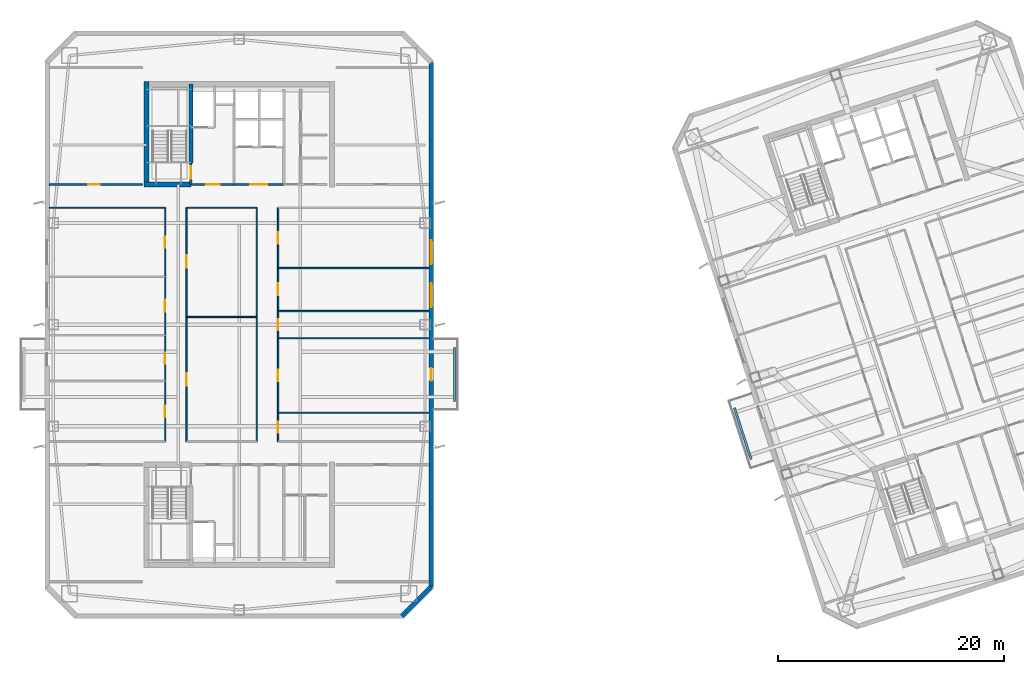
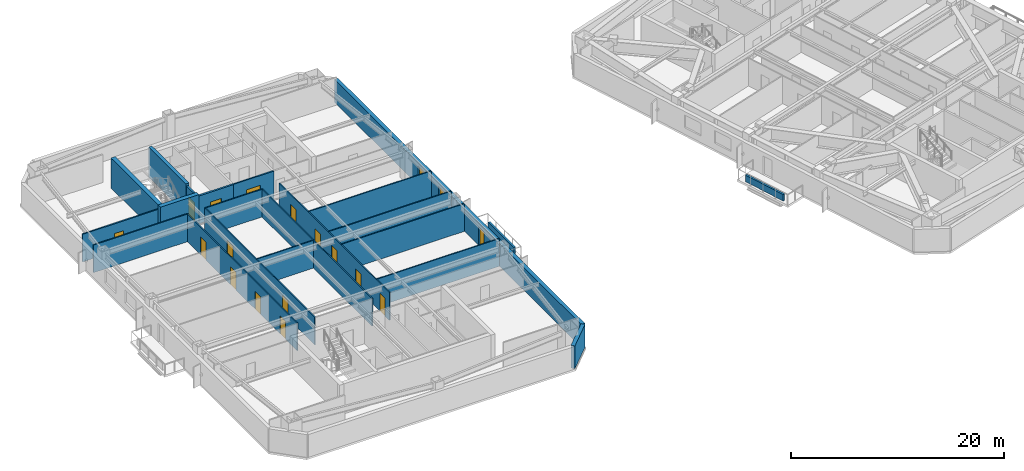
# One storey, part 7 of 18: 22 walls, 16 doors, 2 windows, 18 openings.
"""IFC4 building model written with IfcOpenShell, lengths in metres."""

from ifc_helpers import new_model, si_unit, direction, frame, frame_2d, origin, place, context, subcontext, project, spatial, rectangle, extrude, material, layer, layer_set, type_object, element, fill, save


model = new_model("IFC4")

# Units and contexts
model_context = context("Model", 3, precision=1e-05, world=origin(), true_north=direction((0.0, 1.0)))
body_context = subcontext(model_context, "Body", "Model", "MODEL_VIEW")
ifc_project = project(units=[si_unit("LENGTHUNIT", "METRE"), si_unit("AREAUNIT", "SQUARE_METRE"), si_unit("VOLUMEUNIT", "CUBIC_METRE"), si_unit("PLANEANGLEUNIT", "RADIAN"), si_unit("MASSUNIT", "GRAM", prefix="KILO")], contexts=[model_context])

# Site, building, storey
site_placement = place(None, origin())
site = spatial("IfcSite", under=ifc_project, at=site_placement, CompositionType="ELEMENT")
building_placement = place(site_placement, origin())
building = spatial("IfcBuilding", under=site, at=building_placement, Name="Qiaolan Cultural Towers", CompositionType="ELEMENT")
storey_placement = place(building_placement, frame((0.0, 0.0, 195.5)))
storey = spatial("IfcBuildingStorey", under=building, at=storey_placement, Name="L52", CompositionType="ELEMENT", Elevation=195.5)

# Walls
ifc_material_1 = material(Name="Concrete C50", Category="concrete")
ifc_layer_1 = layer(ifc_material_1, 0.35009765625)
ifc_layer_set_1 = layer_set([ifc_layer_1], Name="Concrete C50")
wall_type_1 = type_object("IfcWallType", Name="WL-CORE-350", PredefinedType="SHEAR", material=ifc_layer_set_1)
wall_1_placement = place(storey_placement, frame((25.719970703125, 48.300048828125, 0.0), z_axis=(0.0, 0.0, 1.0), x_axis=(0.0, 1.0, 0.0)))
element("IfcWall", 1, at=wall_1_placement, inside=storey, type_object=wall_type_1, Name="L52 T1-CN Stair Core Dividing Web", PredefinedType="SHEAR", context=body_context, shape_type="SweptSolid", body=[
    extrude(rectangle(XDim=6.97998046875, YDim=0.35009765625, at=frame_2d((3.489990234375, 0.0))), origin(), (0.0, 0.0, 1.0), 3.449951171875),
])
ifc_material_2 = material(Name="Concrete C50", Category="concrete")
ifc_layer_2 = layer(ifc_material_2, 0.449951171875)
ifc_layer_set_2 = layer_set([ifc_layer_2], Name="Concrete C50")
wall_type_2 = type_object("IfcWallType", Name="WL-CORE-450", PredefinedType="SHEAR", material=ifc_layer_set_2)
wall_2_placement = place(storey_placement, frame((21.800048828125, 46.175048828125, 0.0), z_axis=(0.0, 0.0, 1.0), x_axis=(0.0, 1.0, 0.0)))
element("IfcWall", 2, at=wall_2_placement, inside=storey, type_object=wall_type_2, Name="L52 T1-CN West Core Shear Wall", PredefinedType="SHEAR", context=body_context, shape_type="SweptSolid", body=[
    extrude(rectangle(XDim=9.329833984375, YDim=0.449951171875, at=frame_2d((4.6650390625, 0.0))), origin(), (0.0, 0.0, 1.0), 3.449951171875),
])
wall_3_placement = place(storey_placement, frame((21.574951171875, 46.39990234375, 0.0), z_axis=(0.0, 0.0, 1.0), x_axis=(1.0, 0.0, 0.0)))
element("IfcWall", 3, at=wall_3_placement, inside=storey, type_object=wall_type_2, Name="L52 T1-CN Stair Front Shear Wall", PredefinedType="SHEAR", context=body_context, shape_type="SweptSolid", body=[
    extrude(rectangle(XDim=4.14501953125, YDim=0.449951171875, at=frame_2d((2.072509765625, 0.0))), origin(), (0.0, 0.0, 1.0), 3.449951171875),
])

# Wall, openings, door, windows
ifc_material_3 = material(Name="Precast Concrete C50 Honed Stone Pier", Category="masonry")
ifc_layer_3 = layer(ifc_material_3, 0.39990234375)
ifc_layer_set_3 = layer_set([ifc_layer_3], Name="Precast Concrete C50 Honed Stone Pier")
wall_type_3 = type_object("IfcWallType", Name="WL-EXT-PIER-400", PredefinedType="SOLIDWALL", material=ifc_layer_set_3)
wall_4_placement = place(storey_placement, frame((47.0, 57.199951171875, 0.0), z_axis=(0.0, 0.0, 1.0), x_axis=(0.0, -1.0, 0.0)))
wall_4 = element("IfcWall", 4, at=wall_4_placement, inside=storey, type_object=wall_type_3, Name="L52 West Tower Precast Pier Facade Wall F5", PredefinedType="SOLIDWALL", context=body_context, shape_type="SweptSolid", body=[
    extrude(rectangle(XDim=46.39990234375, YDim=0.39990234375, at=frame_2d((23.199951171875, 0.0))), origin(), (0.0, 0.0, 1.0), 2.610107421875),
])
opening_1_placement = place(wall_4_placement, frame((19.550048828125, 0.0, 0.75)))
opening_1 = element("IfcOpeningElement", 5, at=opening_1_placement, cuts=wall_4, Name="Opening W-05", PredefinedType="OPENING", context=body_context, shape_type="SweptSolid", body=[
    extrude(rectangle(XDim=2.10009765625, YDim=1.4599609375, at=frame_2d((1.050048828125, 0.72998046875))), frame((0.0, 0.2099609375, 0.0), z_axis=(0.0, -1.0, 0.0), x_axis=(1.0, 0.0, 0.0)), (0.0, 0.0, 1.0), 0.419921875),
])
opening_2_placement = place(wall_4_placement, frame((15.75, 0.0, 0.75)))
opening_2 = element("IfcOpeningElement", 6, at=opening_2_placement, cuts=wall_4, Name="Opening W-05", PredefinedType="OPENING", context=body_context, shape_type="SweptSolid", body=[
    extrude(rectangle(XDim=2.10009765625, YDim=1.4599609375, at=frame_2d((1.050048828125, 0.72998046875))), frame((0.0, 0.2099609375, 0.0), z_axis=(0.0, -1.0, 0.0), x_axis=(1.0, 0.0, 0.0)), (0.0, 0.0, 1.0), 0.419921875),
])
opening_3_placement = place(wall_4_placement, frame((27.050048828125, 0.0, 0.0)))
opening_3 = element("IfcOpeningElement", 7, at=opening_3_placement, cuts=wall_4, Name="Opening BD-01", PredefinedType="OPENING", context=body_context, shape_type="SweptSolid", body=[
    extrude(rectangle(XDim=1.10009765625, YDim=2.14990234375, at=frame_2d((0.550048828125, 1.074951171875))), frame((0.0, 0.2099609375, 0.0), z_axis=(0.0, -1.0, 0.0), x_axis=(1.0, 0.0, 0.0)), (0.0, 0.0, 1.0), 0.419921875),
])
ifc_material_4 = material(Name="Thermally Broken Aluminium Glazed Terrace Door", Category="aluminium")
door_type_1 = type_object("IfcDoorType", Name="DR-BAL-1100", OperationType="NOTDEFINED", PredefinedType="DOOR", material=ifc_material_4)
door_1_placement = place(opening_3_placement, origin())
door_1 = element("IfcDoor", 8, at=door_1_placement, inside=storey, type_object=door_type_1, Name="L52 T1 East Tree Balcony Door", OperationType="SINGLE_SWING_RIGHT", OverallHeight=2.14990234375, OverallWidth=1.10009765625, PredefinedType="DOOR", context=body_context, shape_type="SweptSolid", body=[
    extrude(rectangle(XDim=1.10009765625, YDim=2.14990234375, at=frame_2d((0.550048828125, 1.074951171875))), frame((0.0, 0.02490234375, 0.0), z_axis=(0.0, -1.0, 0.0), x_axis=(1.0, 0.0, 0.0)), (0.0, 0.0, 1.0), 0.050048828125),
])
fill(opening_3, door_1)
ifc_material_5 = material(Name="Thermally Broken Aluminium Triple Low-E Glazing", Category="aluminium")
window_type = type_object("IfcWindowType", Name="WN-CHIC-2100", PartitioningType="SINGLE_PANEL", PredefinedType="WINDOW", material=ifc_material_5)
window_1_placement = place(opening_1_placement, origin())
window_1 = element("IfcWindow", 9, at=window_1_placement, inside=storey, type_object=window_type, Name="L52 T1 E Chicago Bay Window 1", OverallHeight=1.4599609375, OverallWidth=2.10009765625, PartitioningType="TRIPLE_PANEL_VERTICAL", PredefinedType="WINDOW", context=body_context, shape_type="SweptSolid", body=[
    extrude(rectangle(XDim=2.10009765625, YDim=1.4599609375, at=frame_2d((1.050048828125, 0.72998046875))), frame((0.0, 0.030029296875, 0.0), z_axis=(0.0, -1.0, 0.0), x_axis=(1.0, 0.0, 0.0)), (0.0, 0.0, 1.0), 0.06005859375),
])
fill(opening_1, window_1)
window_2_placement = place(opening_2_placement, origin())
window_2 = element("IfcWindow", 10, at=window_2_placement, inside=storey, type_object=window_type, Name="L52 T1 E Chicago Bay Window 2", OverallHeight=1.4599609375, OverallWidth=2.10009765625, PartitioningType="TRIPLE_PANEL_VERTICAL", PredefinedType="WINDOW", context=body_context, shape_type="SweptSolid", body=[
    extrude(rectangle(XDim=2.10009765625, YDim=1.4599609375, at=frame_2d((1.050048828125, 0.72998046875))), frame((0.0, 0.030029296875, 0.0), z_axis=(0.0, -1.0, 0.0), x_axis=(1.0, 0.0, 0.0)), (0.0, 0.0, 1.0), 0.06005859375),
])
fill(opening_2, window_2)

# Wall
wall_5_placement = place(storey_placement, frame((47.0, 10.800048828125, 0.0), z_axis=(0.0, 0.0, 1.0), x_axis=(-0.707106781187, -0.707106781187, 0.0)))
element("IfcWall", 11, at=wall_5_placement, inside=storey, type_object=wall_type_3, Name="L52 West Tower Precast Pier Facade Wall F6", PredefinedType="SOLIDWALL", context=body_context, shape_type="SweptSolid", body=[
    extrude(rectangle(XDim=3.677001953125, YDim=0.39990234375, at=frame_2d((1.83837890625, 0.0))), origin(), (0.0, 0.0, 1.0), 2.610107421875),
])

# Wall, opening, door
ifc_material_6 = material(Name="Concrete C35 Fire Wall", Category="concrete")
ifc_layer_4 = layer(ifc_material_6, 0.199951171875)
ifc_layer_set_4 = layer_set([ifc_layer_4], Name="Concrete C35 Fire Wall")
wall_type_4 = type_object("IfcWallType", Name="WL-FIRE-200", PredefinedType="PARTITIONING", material=ifc_layer_set_4)
wall_6_placement = place(storey_placement, frame((25.719970703125, 46.39990234375, 0.0), z_axis=(0.0, 0.0, 1.0), x_axis=(0.0, 1.0, 0.0)))
wall_6 = element("IfcWall", 12, at=wall_6_placement, inside=storey, type_object=wall_type_4, Name="L52 T1-CN Smokeproof Stair Entry Wall", PredefinedType="PARTITIONING", context=body_context, shape_type="SweptSolid", body=[
    extrude(rectangle(XDim=1.900146484375, YDim=0.199951171875, at=frame_2d((0.9501953125, 0.0))), origin(), (0.0, 0.0, 1.0), 3.175048828125),
])
opening_4_placement = place(wall_6_placement, frame((0.52001953125, 0.0, 0.0)))
opening_4 = element("IfcOpeningElement", 13, at=opening_4_placement, cuts=wall_6, Name="Opening FD-04", PredefinedType="OPENING", context=body_context, shape_type="SweptSolid", body=[
    extrude(rectangle(XDim=1.10009765625, YDim=2.050048828125, at=frame_2d((0.550048828125, 1.02490234375))), frame((0.0, 0.10986328125, 0.0), z_axis=(0.0, -1.0, 0.0), x_axis=(1.0, 0.0, 0.0)), (0.0, 0.0, 1.0), 0.219970703125),
])
ifc_material_7 = material(Name="Galvanized Steel Command Fire Door", Category="steel")
door_type_2 = type_object("IfcDoorType", Name="DR-FD90-1100", OperationType="NOTDEFINED", PredefinedType="DOOR", material=ifc_material_7)
door_2_placement = place(opening_4_placement, origin())
door_2 = element("IfcDoor", 14, at=door_2_placement, inside=storey, type_object=door_type_2, Name="L52 ST-W2 Smokeproof Stair Fire Door", OperationType="SINGLE_SWING_LEFT", OverallHeight=2.050048828125, OverallWidth=1.10009765625, PredefinedType="DOOR", context=body_context, shape_type="SweptSolid", body=[
    extrude(rectangle(XDim=1.10009765625, YDim=2.050048828125, at=frame_2d((0.550048828125, 1.02490234375))), frame((0.0, 0.02490234375, 0.0), z_axis=(0.0, -1.0, 0.0), x_axis=(1.0, 0.0, 0.0)), (0.0, 0.0, 1.0), 0.050048828125),
])
fill(opening_4, door_2)

wall_7_placement = place(storey_placement, frame((25.719970703125, 46.39990234375, 0.0), z_axis=(0.0, 0.0, 1.0), x_axis=(1.0, 0.0, 0.0)))
wall_7 = element("IfcWall", 15, at=wall_7_placement, inside=storey, type_object=wall_type_4, Name="L52 T1-CN Firefighting Lobby Front Wall", PredefinedType="PARTITIONING", context=body_context, shape_type="SweptSolid", body=[
    extrude(rectangle(XDim=3.830078125, YDim=0.199951171875, at=frame_2d((1.9150390625, 0.0))), origin(), (0.0, 0.0, 1.0), 3.175048828125),
])
opening_5_placement = place(wall_7_placement, frame((1.35009765625, 0.0, 0.0)))
opening_5 = element("IfcOpeningElement", 16, at=opening_5_placement, cuts=wall_7, Name="Opening FD-03", PredefinedType="OPENING", context=body_context, shape_type="SweptSolid", body=[
    extrude(rectangle(XDim=1.199951171875, YDim=2.050048828125, at=frame_2d((0.60009765625, 1.02490234375))), frame((0.0, 0.10986328125, 0.0), z_axis=(0.0, -1.0, 0.0), x_axis=(1.0, 0.0, 0.0)), (0.0, 0.0, 1.0), 0.219970703125),
])
ifc_material_8 = material(Name="Galvanized Steel Smokeproof Lobby Fire Door", Category="steel")
door_type_3 = type_object("IfcDoorType", Name="DR-FD90-1200", OperationType="NOTDEFINED", PredefinedType="DOOR", material=ifc_material_8)
door_3_placement = place(opening_5_placement, origin())
door_3 = element("IfcDoor", 17, at=door_3_placement, inside=storey, type_object=door_type_3, Name="L52 FFL-W2 Firefighting Lobby Fire Door", OperationType="SINGLE_SWING_LEFT", OverallHeight=2.050048828125, OverallWidth=1.199951171875, PredefinedType="DOOR", context=body_context, shape_type="SweptSolid", body=[
    extrude(rectangle(XDim=1.199951171875, YDim=2.050048828125, at=frame_2d((0.60009765625, 1.02490234375))), frame((0.0, 0.02490234375, 0.0), z_axis=(0.0, -1.0, 0.0), x_axis=(1.0, 0.0, 0.0)), (0.0, 0.0, 1.0), 0.050048828125),
])
fill(opening_5, door_3)

# Walls
ifc_material_9 = material(Name="Gypsum Stud Acoustic Partition", Category="gypsum")
ifc_layer_5 = layer(ifc_material_9, 0.1201171875)
ifc_layer_set_5 = layer_set([ifc_layer_5], Name="Gypsum Stud Acoustic Partition")
wall_type_5 = type_object("IfcWallType", Name="WL-PART-120", PredefinedType="PARTITIONING", material=ifc_layer_set_5)
wall_8_placement = place(storey_placement, frame((13.199951171875, 44.35009765625, 0.0), z_axis=(0.0, 0.0, 1.0), x_axis=(1.0, 0.0, 0.0)))
element("IfcWall", 18, at=wall_8_placement, inside=storey, type_object=wall_type_5, Name="L52 T1 Interior Wall", PredefinedType="PARTITIONING", context=body_context, shape_type="SweptSolid", body=[
    extrude(rectangle(XDim=10.25, YDim=0.1201171875, at=frame_2d((5.125, 0.0))), origin(), (0.0, 0.0, 1.0), 3.175048828125),
])
wall_9_placement = place(storey_placement, frame((25.35009765625, 44.35009765625, 0.0), z_axis=(0.0, 0.0, 1.0), x_axis=(1.0, 0.0, 0.0)))
element("IfcWall", 19, at=wall_9_placement, inside=storey, type_object=wall_type_5, Name="L52 T1 Interior Wall", PredefinedType="PARTITIONING", context=body_context, shape_type="SweptSolid", body=[
    extrude(rectangle(XDim=6.199951171875, YDim=0.1201171875, at=frame_2d((3.10009765625, 0.0))), origin(), (0.0, 0.0, 1.0), 3.175048828125),
])

# Wall, openings, doors
wall_10_placement = place(storey_placement, frame((23.449951171875, 23.64990234375, 0.0), z_axis=(0.0, 0.0, 1.0), x_axis=(0.0, 1.0, 0.0)))
wall_10 = element("IfcWall", 20, at=wall_10_placement, inside=storey, type_object=wall_type_5, Name="L52 T1 Interior Wall", PredefinedType="PARTITIONING", context=body_context, shape_type="SweptSolid", body=[
    extrude(rectangle(XDim=20.7001953125, YDim=0.1201171875, at=frame_2d((10.35009765625, 0.0))), origin(), (0.0, 0.0, 1.0), 3.175048828125),
])
opening_6_placement = place(wall_10_placement, frame((2.175048828125, 0.0, 0.0)))
opening_6 = element("IfcOpeningElement", 21, at=opening_6_placement, cuts=wall_10, Name="Opening ID-04", PredefinedType="OPENING", context=body_context, shape_type="SweptSolid", body=[
    extrude(rectangle(XDim=1.0, YDim=2.050048828125, at=frame_2d((0.5, 1.02490234375))), frame((0.0, 0.070068359375, 0.0), z_axis=(0.0, -1.0, 0.0), x_axis=(1.0, 0.0, 0.0)), (0.0, 0.0, 1.0), 0.14013671875),
])
opening_7_placement = place(wall_10_placement, frame((6.882568359375, 0.0, 0.0)))
opening_7 = element("IfcOpeningElement", 22, at=opening_7_placement, cuts=wall_10, Name="Opening ID-04", PredefinedType="OPENING", context=body_context, shape_type="SweptSolid", body=[
    extrude(rectangle(XDim=1.0, YDim=2.050048828125, at=frame_2d((0.5, 1.02490234375))), frame((0.0, 0.070068359375, 0.0), z_axis=(0.0, -1.0, 0.0), x_axis=(1.0, 0.0, 0.0)), (0.0, 0.0, 1.0), 0.14013671875),
])
opening_8_placement = place(wall_10_placement, frame((11.50244140625, 0.0, 0.0)))
opening_8 = element("IfcOpeningElement", 23, at=opening_8_placement, cuts=wall_10, Name="Opening ID-07", PredefinedType="OPENING", context=body_context, shape_type="SweptSolid", body=[
    extrude(rectangle(XDim=1.050048828125, YDim=2.050048828125, at=frame_2d((0.52490234375, 1.02490234375))), frame((0.0, 0.070068359375, 0.0), z_axis=(0.0, -1.0, 0.0), x_axis=(1.0, 0.0, 0.0)), (0.0, 0.0, 1.0), 0.14013671875),
])
opening_9_placement = place(wall_10_placement, frame((17.14501953125, 0.0, 0.0)))
opening_9 = element("IfcOpeningElement", 24, at=opening_9_placement, cuts=wall_10, Name="Opening ID-04", PredefinedType="OPENING", context=body_context, shape_type="SweptSolid", body=[
    extrude(rectangle(XDim=1.0, YDim=2.050048828125, at=frame_2d((0.5, 1.02490234375))), frame((0.0, 0.070068359375, 0.0), z_axis=(0.0, -1.0, 0.0), x_axis=(1.0, 0.0, 0.0)), (0.0, 0.0, 1.0), 0.14013671875),
])
ifc_material_10 = material(Name="Oak Veneer Acoustic Office Door", Category="timber")
door_type_4 = type_object("IfcDoorType", Name="DR-INT-1000", OperationType="NOTDEFINED", PredefinedType="DOOR", material=ifc_material_10)
door_4_placement = place(opening_6_placement, origin())
door_4 = element("IfcDoor", 25, at=door_4_placement, inside=storey, type_object=door_type_4, Name="L52 T1 International Law Office Door", OperationType="SINGLE_SWING_LEFT", OverallHeight=2.050048828125, OverallWidth=1.0, PredefinedType="DOOR", context=body_context, shape_type="SweptSolid", body=[
    extrude(rectangle(XDim=1.0, YDim=2.050048828125, at=frame_2d((0.5, 1.02490234375))), frame((0.0, 0.02490234375, 0.0), z_axis=(0.0, -1.0, 0.0), x_axis=(1.0, 0.0, 0.0)), (0.0, 0.0, 1.0), 0.050048828125),
])
fill(opening_6, door_4)
door_5_placement = place(opening_7_placement, origin())
door_5 = element("IfcDoor", 26, at=door_5_placement, inside=storey, type_object=door_type_4, Name="L52 T1 International Law Office Door", OperationType="SINGLE_SWING_RIGHT", OverallHeight=2.050048828125, OverallWidth=1.0, PredefinedType="DOOR", context=body_context, shape_type="SweptSolid", body=[
    extrude(rectangle(XDim=1.0, YDim=2.050048828125, at=frame_2d((0.5, 1.02490234375))), frame((0.0, 0.02490234375, 0.0), z_axis=(0.0, -1.0, 0.0), x_axis=(1.0, 0.0, 0.0)), (0.0, 0.0, 1.0), 0.050048828125),
])
fill(opening_7, door_5)
door_6_placement = place(opening_9_placement, origin())
door_6 = element("IfcDoor", 27, at=door_6_placement, inside=storey, type_object=door_type_4, Name="L52 T1 Arbitration Room Door", OperationType="SINGLE_SWING_RIGHT", OverallHeight=2.050048828125, OverallWidth=1.0, PredefinedType="DOOR", context=body_context, shape_type="SweptSolid", body=[
    extrude(rectangle(XDim=1.0, YDim=2.050048828125, at=frame_2d((0.5, 1.02490234375))), frame((0.0, 0.02490234375, 0.0), z_axis=(0.0, -1.0, 0.0), x_axis=(1.0, 0.0, 0.0)), (0.0, 0.0, 1.0), 0.050048828125),
])
fill(opening_9, door_6)
ifc_material_11 = material(Name="Oak Veneer Consultation Door", Category="timber")
door_type_5 = type_object("IfcDoorType", Name="DR-INT-1050", OperationType="NOTDEFINED", PredefinedType="DOOR", material=ifc_material_11)
door_7_placement = place(opening_8_placement, origin())
door_7 = element("IfcDoor", 28, at=door_7_placement, inside=storey, type_object=door_type_5, Name="L52 T1 International Law Office Door", OperationType="SINGLE_SWING_LEFT", OverallHeight=2.050048828125, OverallWidth=1.050048828125, PredefinedType="DOOR", context=body_context, shape_type="SweptSolid", body=[
    extrude(rectangle(XDim=1.050048828125, YDim=2.050048828125, at=frame_2d((0.52490234375, 1.02490234375))), frame((0.0, 0.02490234375, 0.0), z_axis=(0.0, -1.0, 0.0), x_axis=(1.0, 0.0, 0.0)), (0.0, 0.0, 1.0), 0.050048828125),
])
fill(opening_8, door_7)

wall_11_placement = place(storey_placement, frame((25.35009765625, 23.64990234375, 0.0), z_axis=(0.0, 0.0, 1.0), x_axis=(0.0, 1.0, 0.0)))
wall_11 = element("IfcWall", 29, at=wall_11_placement, inside=storey, type_object=wall_type_5, Name="L52 T1 Interior Wall", PredefinedType="PARTITIONING", context=body_context, shape_type="SweptSolid", body=[
    extrude(rectangle(XDim=20.7001953125, YDim=0.1201171875, at=frame_2d((10.35009765625, 0.0))), origin(), (0.0, 0.0, 1.0), 3.175048828125),
])
opening_10_placement = place(wall_11_placement, frame((4.96337890625, 0.0, 0.0)))
opening_10 = element("IfcOpeningElement", 30, at=opening_10_placement, cuts=wall_11, Name="Opening ID-03", PredefinedType="OPENING", context=body_context, shape_type="SweptSolid", body=[
    extrude(rectangle(XDim=1.10009765625, YDim=2.050048828125, at=frame_2d((0.550048828125, 1.02490234375))), frame((0.0, 0.070068359375, 0.0), z_axis=(0.0, -1.0, 0.0), x_axis=(1.0, 0.0, 0.0)), (0.0, 0.0, 1.0), 0.14013671875),
])
opening_11_placement = place(wall_11_placement, frame((15.381591796875, 0.0, 0.0)))
opening_11 = element("IfcOpeningElement", 31, at=opening_11_placement, cuts=wall_11, Name="Opening ID-03", PredefinedType="OPENING", context=body_context, shape_type="SweptSolid", body=[
    extrude(rectangle(XDim=1.10009765625, YDim=2.050048828125, at=frame_2d((0.550048828125, 1.02490234375))), frame((0.0, 0.070068359375, 0.0), z_axis=(0.0, -1.0, 0.0), x_axis=(1.0, 0.0, 0.0)), (0.0, 0.0, 1.0), 0.14013671875),
])
ifc_material_12 = material(Name="Oak Veneer Solid-Core Boardroom Door", Category="timber")
door_type_6 = type_object("IfcDoorType", Name="DR-INT-1100", OperationType="NOTDEFINED", PredefinedType="DOOR", material=ifc_material_12)
door_8_placement = place(opening_10_placement, origin())
door_8 = element("IfcDoor", 32, at=door_8_placement, inside=storey, type_object=door_type_6, Name="L52 T1 Central Boardroom Door", OperationType="SINGLE_SWING_LEFT", OverallHeight=2.050048828125, OverallWidth=1.10009765625, PredefinedType="DOOR", context=body_context, shape_type="SweptSolid", body=[
    extrude(rectangle(XDim=1.10009765625, YDim=2.050048828125, at=frame_2d((0.550048828125, 1.02490234375))), frame((0.0, 0.02490234375, 0.0), z_axis=(0.0, -1.0, 0.0), x_axis=(1.0, 0.0, 0.0)), (0.0, 0.0, 1.0), 0.050048828125),
])
fill(opening_10, door_8)
door_9_placement = place(opening_11_placement, origin())
door_9 = element("IfcDoor", 33, at=door_9_placement, inside=storey, type_object=door_type_6, Name="L52 T1 Central Archive Salon Door", OperationType="SINGLE_SWING_RIGHT", OverallHeight=2.050048828125, OverallWidth=1.10009765625, PredefinedType="DOOR", context=body_context, shape_type="SweptSolid", body=[
    extrude(rectangle(XDim=1.10009765625, YDim=2.050048828125, at=frame_2d((0.550048828125, 1.02490234375))), frame((0.0, 0.02490234375, 0.0), z_axis=(0.0, -1.0, 0.0), x_axis=(1.0, 0.0, 0.0)), (0.0, 0.0, 1.0), 0.050048828125),
])
fill(opening_11, door_9)

# Wall
wall_12_placement = place(storey_placement, frame((31.550048828125, 23.64990234375, 0.0), z_axis=(0.0, 0.0, 1.0), x_axis=(0.0, 1.0, 0.0)))
element("IfcWall", 34, at=wall_12_placement, inside=storey, type_object=wall_type_5, Name="L52 T1 Interior Wall", PredefinedType="PARTITIONING", context=body_context, shape_type="SweptSolid", body=[
    extrude(rectangle(XDim=20.7001953125, YDim=0.1201171875, at=frame_2d((10.35009765625, 0.0))), origin(), (0.0, 0.0, 1.0), 3.175048828125),
])

# Wall, openings, doors
wall_13_placement = place(storey_placement, frame((33.449951171875, 23.64990234375, 0.0), z_axis=(0.0, 0.0, 1.0), x_axis=(0.0, 1.0, 0.0)))
wall_13 = element("IfcWall", 35, at=wall_13_placement, inside=storey, type_object=wall_type_5, Name="L52 T1 Interior Wall", PredefinedType="PARTITIONING", context=body_context, shape_type="SweptSolid", body=[
    extrude(rectangle(XDim=20.7001953125, YDim=0.1201171875, at=frame_2d((10.35009765625, 0.0))), origin(), (0.0, 0.0, 1.0), 3.175048828125),
])
opening_12_placement = place(wall_13_placement, frame((0.77490234375, 0.0, 0.0)))
opening_12 = element("IfcOpeningElement", 36, at=opening_12_placement, cuts=wall_13, Name="Opening ID-04", PredefinedType="OPENING", context=body_context, shape_type="SweptSolid", body=[
    extrude(rectangle(XDim=1.0, YDim=2.050048828125, at=frame_2d((0.5, 1.02490234375))), frame((0.0, 0.070068359375, 0.0), z_axis=(0.0, -1.0, 0.0), x_axis=(1.0, 0.0, 0.0)), (0.0, 0.0, 1.0), 0.14013671875),
])
opening_13_placement = place(wall_13_placement, frame((5.35009765625, 0.0, 0.0)))
opening_13 = element("IfcOpeningElement", 37, at=opening_13_placement, cuts=wall_13, Name="Opening ID-04", PredefinedType="OPENING", context=body_context, shape_type="SweptSolid", body=[
    extrude(rectangle(XDim=1.0, YDim=2.050048828125, at=frame_2d((0.5, 1.02490234375))), frame((0.0, 0.070068359375, 0.0), z_axis=(0.0, -1.0, 0.0), x_axis=(1.0, 0.0, 0.0)), (0.0, 0.0, 1.0), 0.14013671875),
])
opening_14_placement = place(wall_13_placement, frame((9.85009765625, 0.0, 0.0)))
opening_14 = element("IfcOpeningElement", 38, at=opening_14_placement, cuts=wall_13, Name="Opening ID-04", PredefinedType="OPENING", context=body_context, shape_type="SweptSolid", body=[
    extrude(rectangle(XDim=1.0, YDim=2.050048828125, at=frame_2d((0.5, 1.02490234375))), frame((0.0, 0.070068359375, 0.0), z_axis=(0.0, -1.0, 0.0), x_axis=(1.0, 0.0, 0.0)), (0.0, 0.0, 1.0), 0.14013671875),
])
opening_15_placement = place(wall_13_placement, frame((12.949951171875, 0.0, 0.0)))
opening_15 = element("IfcOpeningElement", 39, at=opening_15_placement, cuts=wall_13, Name="Opening ID-07", PredefinedType="OPENING", context=body_context, shape_type="SweptSolid", body=[
    extrude(rectangle(XDim=1.050048828125, YDim=2.050048828125, at=frame_2d((0.52490234375, 1.02490234375))), frame((0.0, 0.070068359375, 0.0), z_axis=(0.0, -1.0, 0.0), x_axis=(1.0, 0.0, 0.0)), (0.0, 0.0, 1.0), 0.14013671875),
])
opening_16_placement = place(wall_13_placement, frame((17.52490234375, 0.0, 0.0)))
opening_16 = element("IfcOpeningElement", 40, at=opening_16_placement, cuts=wall_13, Name="Opening ID-04", PredefinedType="OPENING", context=body_context, shape_type="SweptSolid", body=[
    extrude(rectangle(XDim=1.0, YDim=2.050048828125, at=frame_2d((0.5, 1.02490234375))), frame((0.0, 0.070068359375, 0.0), z_axis=(0.0, -1.0, 0.0), x_axis=(1.0, 0.0, 0.0)), (0.0, 0.0, 1.0), 0.14013671875),
])
door_10_placement = place(opening_12_placement, origin())
door_10 = element("IfcDoor", 41, at=door_10_placement, inside=storey, type_object=door_type_4, Name="L52 T1 Legal Library Salon Door", OperationType="SINGLE_SWING_RIGHT", OverallHeight=2.050048828125, OverallWidth=1.0, PredefinedType="DOOR", context=body_context, shape_type="SweptSolid", body=[
    extrude(rectangle(XDim=1.0, YDim=2.050048828125, at=frame_2d((0.5, 1.02490234375))), frame((0.0, 0.02490234375, 0.0), z_axis=(0.0, -1.0, 0.0), x_axis=(1.0, 0.0, 0.0)), (0.0, 0.0, 1.0), 0.050048828125),
])
fill(opening_12, door_10)
door_11_placement = place(opening_13_placement, origin())
door_11 = element("IfcDoor", 42, at=door_11_placement, inside=storey, type_object=door_type_4, Name="L52 T1 Client Hospitality Kitchen Door", OperationType="SINGLE_SWING_LEFT", OverallHeight=2.050048828125, OverallWidth=1.0, PredefinedType="DOOR", context=body_context, shape_type="SweptSolid", body=[
    extrude(rectangle(XDim=1.0, YDim=2.050048828125, at=frame_2d((0.5, 1.02490234375))), frame((0.0, 0.02490234375, 0.0), z_axis=(0.0, -1.0, 0.0), x_axis=(1.0, 0.0, 0.0)), (0.0, 0.0, 1.0), 0.050048828125),
])
fill(opening_13, door_11)
door_12_placement = place(opening_14_placement, origin())
door_12 = element("IfcDoor", 43, at=door_12_placement, inside=storey, type_object=door_type_4, Name="L52 T1 Client Hospitality Kitchen Door", OperationType="SINGLE_SWING_RIGHT", OverallHeight=2.050048828125, OverallWidth=1.0, PredefinedType="DOOR", context=body_context, shape_type="SweptSolid", body=[
    extrude(rectangle(XDim=1.0, YDim=2.050048828125, at=frame_2d((0.5, 1.02490234375))), frame((0.0, 0.02490234375, 0.0), z_axis=(0.0, -1.0, 0.0), x_axis=(1.0, 0.0, 0.0)), (0.0, 0.0, 1.0), 0.050048828125),
])
fill(opening_14, door_12)
door_13_placement = place(opening_16_placement, origin())
door_13 = element("IfcDoor", 44, at=door_13_placement, inside=storey, type_object=door_type_4, Name="L52 T1 First-Aid Care Room Door", OperationType="SINGLE_SWING_RIGHT", OverallHeight=2.050048828125, OverallWidth=1.0, PredefinedType="DOOR", context=body_context, shape_type="SweptSolid", body=[
    extrude(rectangle(XDim=1.0, YDim=2.050048828125, at=frame_2d((0.5, 1.02490234375))), frame((0.0, 0.02490234375, 0.0), z_axis=(0.0, -1.0, 0.0), x_axis=(1.0, 0.0, 0.0)), (0.0, 0.0, 1.0), 0.050048828125),
])
fill(opening_16, door_13)
door_14_placement = place(opening_15_placement, origin())
door_14 = element("IfcDoor", 45, at=door_14_placement, inside=storey, type_object=door_type_5, Name="L52 T1 Counsel Lounge Door", OperationType="SINGLE_SWING_LEFT", OverallHeight=2.050048828125, OverallWidth=1.050048828125, PredefinedType="DOOR", context=body_context, shape_type="SweptSolid", body=[
    extrude(rectangle(XDim=1.050048828125, YDim=2.050048828125, at=frame_2d((0.52490234375, 1.02490234375))), frame((0.0, 0.02490234375, 0.0), z_axis=(0.0, -1.0, 0.0), x_axis=(1.0, 0.0, 0.0)), (0.0, 0.0, 1.0), 0.050048828125),
])
fill(opening_15, door_14)

# Walls
wall_14_placement = place(storey_placement, frame((25.35009765625, 34.679931640625, 0.0), z_axis=(0.0, 0.0, 1.0), x_axis=(1.0, 0.0, 0.0)))
element("IfcWall", 46, at=wall_14_placement, inside=storey, type_object=wall_type_5, Name="L52 T1 Interior Wall", PredefinedType="PARTITIONING", context=body_context, shape_type="SweptSolid", body=[
    extrude(rectangle(XDim=6.199951171875, YDim=0.1201171875, at=frame_2d((3.10009765625, 0.0))), origin(), (0.0, 0.0, 1.0), 3.175048828125),
])
for number, where, z_axis, x_axis, name in (
    (47, (33.449951171875, 26.199951171875, 0.0), (0.0, 0.0, 1.0), (1.0, 0.0, 0.0), "L52 T1 Interior Wall"),
    (48, (33.449951171875, 32.800048828125, 0.0), (0.0, 0.0, 1.0), (1.0, 0.0, 0.0), "L52 T1 Interior Wall"),
    (49, (33.449951171875, 35.199951171875, 0.0), (0.0, 0.0, 1.0), (1.0, 0.0, 0.0), "L52 T1 Interior Wall"),
    (50, (33.449951171875, 39.0, 0.0), (0.0, 0.0, 1.0), (1.0, 0.0, 0.0), "L52 T1 Interior Wall"),
):
    element("IfcWall", number, at=place(storey_placement, frame(where, z_axis=z_axis, x_axis=x_axis)), inside=storey, type_object=wall_type_5, Name=name, PredefinedType="PARTITIONING", context=body_context, shape_type="SweptSolid", body=[
        extrude(rectangle(XDim=13.35009765625, YDim=0.1201171875, at=frame_2d((6.675048828125, 0.0))), origin(), (0.0, 0.0, 1.0), 3.175048828125),
    ])

# Wall, opening, door
ifc_material_13 = material(Name="Autoclaved Aerated Concrete Block B06", Category="concrete")
ifc_layer_6 = layer(ifc_material_13, 0.14990234375)
ifc_layer_set_6 = layer_set([ifc_layer_6], Name="Autoclaved Aerated Concrete Block B06")
wall_type_6 = type_object("IfcWallType", Name="WL-PART-150", PredefinedType="PARTITIONING", material=ifc_layer_set_6)
wall_15_placement = place(storey_placement, frame((29.550048828125, 46.39990234375, 0.0), z_axis=(0.0, 0.0, 1.0), x_axis=(1.0, 0.0, 0.0)))
wall_15 = element("IfcWall", 51, at=wall_15_placement, inside=storey, type_object=wall_type_6, Name="L52 T1-CN Passenger Lift Lobby Front Wall", PredefinedType="PARTITIONING", context=body_context, shape_type="SweptSolid", body=[
    extrude(rectangle(XDim=4.39990234375, YDim=0.14990234375, at=frame_2d((2.199951171875, 0.0))), origin(), (0.0, 0.0, 1.0), 3.175048828125),
])
opening_17_placement = place(wall_15_placement, frame((1.449951171875, 0.0, 0.0)))
opening_17 = element("IfcOpeningElement", 52, at=opening_17_placement, cuts=wall_15, Name="Opening FD-05", PredefinedType="OPENING", context=body_context, shape_type="SweptSolid", body=[
    extrude(rectangle(XDim=1.5, YDim=2.050048828125, at=frame_2d((0.75, 1.02490234375))), frame((0.0, 0.0849609375, 0.0), z_axis=(0.0, -1.0, 0.0), x_axis=(1.0, 0.0, 0.0)), (0.0, 0.0, 1.0), 0.169921875),
])
ifc_material_14 = material(Name="Painted Steel Lift Lobby Fire Door", Category="steel")
door_type_7 = type_object("IfcDoorType", Name="DR-FD60-1500", OperationType="NOTDEFINED", PredefinedType="DOOR", material=ifc_material_14)
door_15_placement = place(opening_17_placement, origin())
door_15 = element("IfcDoor", 53, at=door_15_placement, inside=storey, type_object=door_type_7, Name="L52 Passenger Lift Lobby Entrance", OperationType="SINGLE_SWING_LEFT", OverallHeight=2.050048828125, OverallWidth=1.5, PredefinedType="DOOR", context=body_context, shape_type="SweptSolid", body=[
    extrude(rectangle(XDim=1.5, YDim=2.050048828125, at=frame_2d((0.75, 1.02490234375))), frame((0.0, 0.02490234375, 0.0), z_axis=(0.0, -1.0, 0.0), x_axis=(1.0, 0.0, 0.0)), (0.0, 0.0, 1.0), 0.050048828125),
])
fill(opening_17, door_15)

wall_16_placement = place(storey_placement, frame((13.199951171875, 46.39990234375, 0.0), z_axis=(0.0, 0.0, 1.0), x_axis=(1.0, 0.0, 0.0)))
wall_16 = element("IfcWall", 54, at=wall_16_placement, inside=storey, type_object=wall_type_6, Name="L52 T1 Flank Front FLK-NW", PredefinedType="PARTITIONING", context=body_context, shape_type="SweptSolid", body=[
    extrude(rectangle(XDim=8.199951171875, YDim=0.14990234375, at=frame_2d((4.10009765625, 0.0))), origin(), (0.0, 0.0, 1.0), 3.175048828125),
])
opening_18_placement = place(wall_16_placement, frame((3.444091796875, 0.0, 0.0)))
opening_18 = element("IfcOpeningElement", 55, at=opening_18_placement, cuts=wall_16, Name="Opening ID-04", PredefinedType="OPENING", context=body_context, shape_type="SweptSolid", body=[
    extrude(rectangle(XDim=1.0, YDim=2.050048828125, at=frame_2d((0.5, 1.02490234375))), frame((0.0, 0.0849609375, 0.0), z_axis=(0.0, -1.0, 0.0), x_axis=(1.0, 0.0, 0.0)), (0.0, 0.0, 1.0), 0.169921875),
])
door_16_placement = place(opening_18_placement, origin())
door_16 = element("IfcDoor", 56, at=door_16_placement, inside=storey, type_object=door_type_4, Name="L52 T1 Corner Studio Door", OperationType="SINGLE_SWING_LEFT", OverallHeight=2.050048828125, OverallWidth=1.0, PredefinedType="DOOR", context=body_context, shape_type="SweptSolid", body=[
    extrude(rectangle(XDim=1.0, YDim=2.050048828125, at=frame_2d((0.5, 1.02490234375))), frame((0.0, 0.02490234375, 0.0), z_axis=(0.0, -1.0, 0.0), x_axis=(1.0, 0.0, 0.0)), (0.0, 0.0, 1.0), 0.050048828125),
])
fill(opening_18, door_16)

# Walls
ifc_material_15 = material(Name="Precast Concrete C45 Tree Planter Upstand", Category="concrete")
ifc_layer_7 = layer(ifc_material_15, 0.199951171875)
ifc_layer_set_7 = layer_set([ifc_layer_7], Name="Precast Concrete C45 Tree Planter Upstand")
wall_type_7 = type_object("IfcWallType", Name="WL-PLANTER-200", PredefinedType="PARAPET", material=ifc_layer_set_7)
for number, where, z_axis, x_axis, name in (
    (57, (49.050048828125, 27.199951171875, 0.0), (0.0, 0.0, 1.0), (0.0, 1.0, 0.0), "L52 T1 Tree Balcony Soil Planter Box E"),
    (58, (75.315185546875, 22.07861328125, 0.0), (0.0, 0.0, 1.0), (-0.309032019345, 0.951051634255, 0.0), "L52 T2 Tree Balcony Soil Planter Box W"),
):
    element("IfcWall", number, at=place(storey_placement, frame(where, z_axis=z_axis, x_axis=x_axis)), inside=storey, type_object=wall_type_7, Name=name, PredefinedType="PARAPET", context=body_context, shape_type="SweptSolid", body=[
        extrude(rectangle(XDim=4.800048828125, YDim=0.199951171875, at=frame_2d((2.39990234375, 0.0))), origin(), (0.0, 0.0, 1.0), 0.75),
    ])

save(model, "model.ifc")
